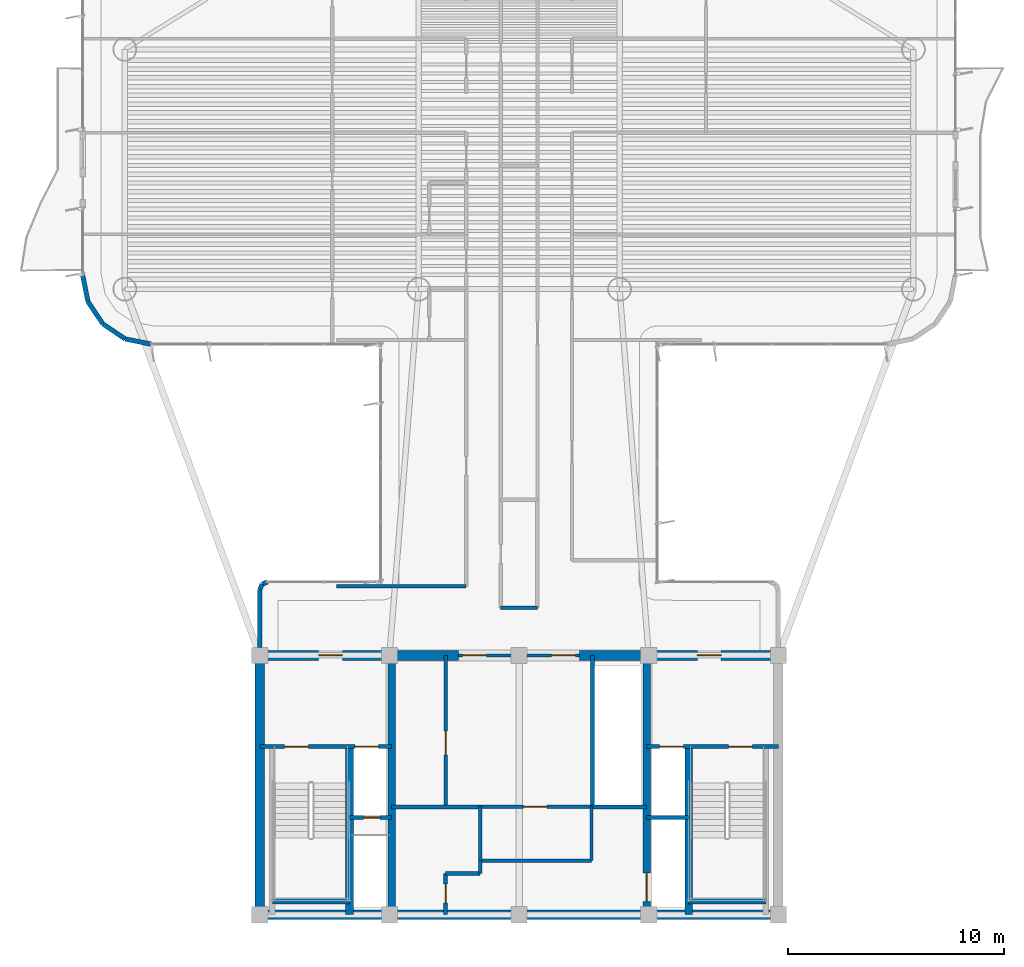
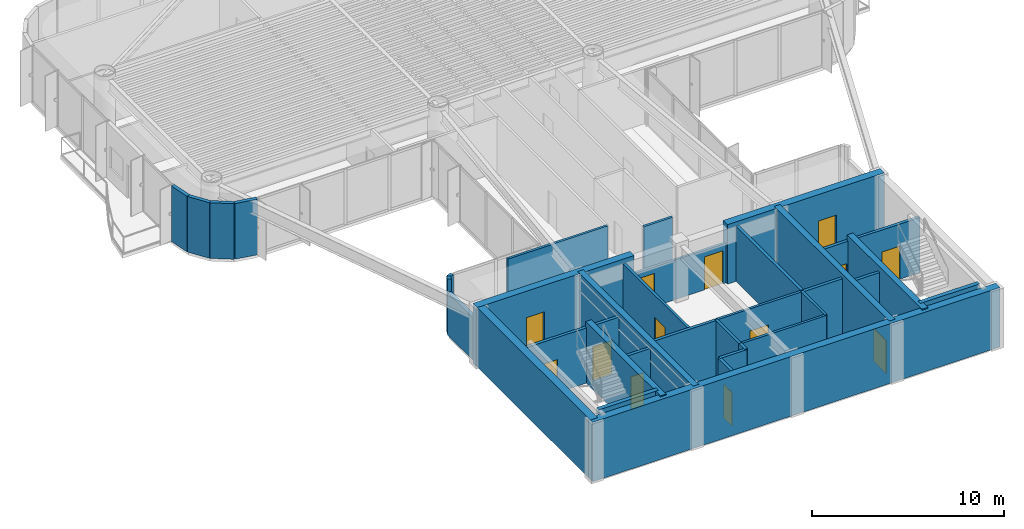
# One storey, part 9 of 14: 35 walls, 13 doors, 13 openings.
"""IFC4 building model written with IfcOpenShell, lengths in metres."""

from ifc_helpers import new_model, si_unit, direction, frame, frame_2d, origin, origin_2d, place, context, subcontext, project, spatial, rectangle, extrude, source, transform, mapped, material, layer, layer_set, type_object, element, fill, save


model = new_model("IFC4")

# Units and contexts
model_context = context("Model", 3, precision=1e-05, world=origin(), true_north=direction((0.0, 1.0)))
body_context = subcontext(model_context, "Body", "Model", "MODEL_VIEW")
ifc_project = project(units=[si_unit("LENGTHUNIT", "METRE"), si_unit("AREAUNIT", "SQUARE_METRE"), si_unit("VOLUMEUNIT", "CUBIC_METRE"), si_unit("PLANEANGLEUNIT", "RADIAN"), si_unit("MASSUNIT", "GRAM", prefix="KILO")], contexts=[model_context])

# Site, building, storey
site_placement = place(None, origin())
site = spatial("IfcSite", under=ifc_project, at=site_placement, CompositionType="ELEMENT")
building_placement = place(site_placement, origin())
building = spatial("IfcBuilding", under=site, at=building_placement, Name="Brelvock Crest Care Tower", CompositionType="ELEMENT")
storey_placement = place(building_placement, frame((0.0, 0.0, 201.780029296875)))
storey = spatial("IfcBuildingStorey", under=building, at=storey_placement, Name="L51", CompositionType="ELEMENT", Elevation=201.780029296875)

# Walls
ifc_material_1 = material(Name="Concrete S65 (65 MPa)", Category="concrete")
ifc_layer_1 = layer(ifc_material_1, 0.449951171875, Name="WL-CS3")
ifc_layer_set_1 = layer_set([ifc_layer_1], Name="Concrete S65 (65 MPa)")
wall_type_1 = type_object("IfcWallType", Name="WL-CS3", PredefinedType="SHEAR", material=ifc_layer_set_1)
wall_1_placement = place(storey_placement, frame((48.22509765625, 6.0, 0.0), z_axis=(0.0, 0.0, 1.0), x_axis=(-1.0, 0.0, 0.0)))
element("IfcWall", 1, at=wall_1_placement, inside=storey, type_object=wall_type_1, Name="L51 Core South Shear Wall", PredefinedType="SHEAR", context=body_context, shape_type="SweptSolid", body=[
    extrude(rectangle(XDim=24.4501953125, YDim=0.449951171875, at=frame_2d((12.22509765625, 0.0))), origin(), (0.0, 0.0, 1.0), 3.780029296875),
])
wall_2_placement = place(storey_placement, frame((24.0, 6.0, 0.0), z_axis=(0.0, 0.0, 1.0), x_axis=(0.0, 1.0, 0.0)))
element("IfcWall", 2, at=wall_2_placement, inside=storey, type_object=wall_type_1, Name="L51 Core West Shear Wall", PredefinedType="SHEAR", context=body_context, shape_type="SweptSolid", body=[
    extrude(rectangle(XDim=12.0, YDim=0.449951171875, at=frame_2d((6.0, 0.0))), origin(), (0.0, 0.0, 1.0), 3.780029296875),
])

# Wall, opening, door
wall_3_placement = place(storey_placement, frame((23.77490234375, 18.0, 0.0), z_axis=(0.0, 0.0, 1.0), x_axis=(1.0, 0.0, 0.0)))
wall_3 = element("IfcWall", 3, at=wall_3_placement, inside=storey, type_object=wall_type_1, Name="L51 Core North-West Shear Wall", PredefinedType="SHEAR", context=body_context, shape_type="SweptSolid", body=[
    extrude(rectangle(XDim=9.425048828125, YDim=0.449951171875, at=frame_2d((4.71240234375, 0.0))), origin(), (0.0, 0.0, 1.0), 3.780029296875),
])
opening_1_placement = place(wall_3_placement, frame((2.949951171875, 0.0, 0.0)))
opening_1 = element("IfcOpeningElement", 4, at=opening_1_placement, cuts=wall_3, Name="Opening FD-1", PredefinedType="OPENING", context=body_context, shape_type="SweptSolid", body=[
    extrude(rectangle(XDim=1.10009765625, YDim=2.10009765625, at=origin_2d()), frame((0.550048828125, 0.23486328125, 1.050048828125), z_axis=(0.0, -1.0, 0.0), x_axis=(1.0, 0.0, 0.0)), (0.0, 0.0, 1.0), 0.469970703125),
])
ifc_material_2 = material(Name="Steel Grade 350", Category="steel")
door_type_1 = type_object("IfcDoorType", Name="DR-FFL1", OperationType="NOTDEFINED", PredefinedType="DOOR", material=ifc_material_2)
shared_shape_1 = source(origin(), body_context, "Body", "SweptSolid", [
    extrude(rectangle(XDim=1.10009765625, YDim=2.10009765625, at=origin_2d()), frame((0.550048828125, 0.02490234375, 1.050048828125), z_axis=(0.0, -1.0, 0.0), x_axis=(1.0, 0.0, 0.0)), (0.0, 0.0, 1.0), 0.050048828125),
])
door_1_placement = place(opening_1_placement, origin())
door_1 = element("IfcDoor", 5, at=door_1_placement, inside=storey, type_object=door_type_1, Name="L51 Firefighting Lobby FFL-1 Exit Door", OperationType="SINGLE_SWING_LEFT", OverallHeight=2.10009765625, OverallWidth=1.10009765625, PredefinedType="DOOR", context=body_context, shape_type="MappedRepresentation", body=[
    mapped(shared_shape_1, transform((0.0, 0.0, 0.0), x_axis=(1.0, 0.0, 0.0), y_axis=(0.0, 1.0, 0.0), z_axis=(0.0, 0.0, 1.0), scale=1.0)),
])
fill(opening_1, door_1)

wall_4_placement = place(storey_placement, frame((38.800048828125, 18.0, 0.0), z_axis=(0.0, 0.0, 1.0), x_axis=(1.0, 0.0, 0.0)))
wall_4 = element("IfcWall", 6, at=wall_4_placement, inside=storey, type_object=wall_type_1, Name="L51 Core North-East Shear Wall", PredefinedType="SHEAR", context=body_context, shape_type="SweptSolid", body=[
    extrude(rectangle(XDim=9.425048828125, YDim=0.449951171875, at=frame_2d((4.71240234375, 0.0))), origin(), (0.0, 0.0, 1.0), 3.780029296875),
])
opening_2_placement = place(wall_4_placement, frame((5.449951171875, 0.0, 0.0)))
opening_2 = element("IfcOpeningElement", 7, at=opening_2_placement, cuts=wall_4, Name="Opening FD-1", PredefinedType="OPENING", context=body_context, shape_type="SweptSolid", body=[
    extrude(rectangle(XDim=1.10009765625, YDim=2.10009765625, at=origin_2d()), frame((0.550048828125, 0.23486328125, 1.050048828125), z_axis=(0.0, -1.0, 0.0), x_axis=(1.0, 0.0, 0.0)), (0.0, 0.0, 1.0), 0.469970703125),
])
door_2_placement = place(opening_2_placement, origin())
door_2 = element("IfcDoor", 8, at=door_2_placement, inside=storey, type_object=door_type_1, Name="L51 Firefighting Lobby FFL-2 Exit Door", OperationType="SINGLE_SWING_RIGHT", OverallHeight=2.10009765625, OverallWidth=1.10009765625, PredefinedType="DOOR", context=body_context, shape_type="MappedRepresentation", body=[
    mapped(shared_shape_1, transform((0.0, 0.0, 0.0), x_axis=(1.0, 0.0, 0.0), y_axis=(0.0, 1.0, 0.0), z_axis=(0.0, 0.0, 1.0), scale=1.0)),
])
fill(opening_2, door_2)

# Wall
ifc_material_3 = material(Name="Concrete S80 (80 MPa)", Category="concrete")
ifc_layer_2 = layer(ifc_material_3, 0.35009765625, Name="WL-CS5")
ifc_layer_set_2 = layer_set([ifc_layer_2], Name="Concrete S80 (80 MPa)")
wall_type_2 = type_object("IfcWallType", Name="WL-CS5", PredefinedType="SHEAR", material=ifc_layer_set_2)
wall_5_placement = place(storey_placement, frame((30.10009765625, 6.0, 0.0), z_axis=(0.0, 0.0, 1.0), x_axis=(0.0, 1.0, 0.0)))
element("IfcWall", 9, at=wall_5_placement, inside=storey, type_object=wall_type_2, Name="L51 Core Internal Web Wall West", PredefinedType="SHEAR", context=body_context, shape_type="SweptSolid", body=[
    extrude(rectangle(XDim=12.0, YDim=0.35009765625, at=frame_2d((6.0, 0.0))), origin(), (0.0, 0.0, 1.0), 3.780029296875),
])

# Wall, opening, door
wall_6_placement = place(storey_placement, frame((41.89990234375, 18.0, 0.0), z_axis=(0.0, 0.0, 1.0), x_axis=(0.0, -1.0, 0.0)))
wall_6 = element("IfcWall", 10, at=wall_6_placement, inside=storey, type_object=wall_type_2, Name="L51 Core Internal Web Wall East", PredefinedType="SHEAR", context=body_context, shape_type="SweptSolid", body=[
    extrude(rectangle(XDim=12.0, YDim=0.35009765625, at=frame_2d((6.0, 0.0))), origin(), (0.0, 0.0, 1.0), 3.780029296875),
])
opening_3_placement = place(wall_6_placement, frame((10.080078125, 0.0, 0.0)))
opening_3 = element("IfcOpeningElement", 11, at=opening_3_placement, cuts=wall_6, Name="Opening LD-S", PredefinedType="OPENING", context=body_context, shape_type="SweptSolid", body=[
    extrude(rectangle(XDim=1.300048828125, YDim=2.10009765625, at=origin_2d()), frame((0.64990234375, 0.18505859375, 1.050048828125), z_axis=(0.0, -1.0, 0.0), x_axis=(1.0, 0.0, 0.0)), (0.0, 0.0, 1.0), 0.3701171875),
])
door_type_2 = type_object("IfcDoorType", Name="DR-LDS1", OperationType="NOTDEFINED", PredefinedType="DOOR", material=ifc_material_2)
shared_shape_2 = source(origin(), body_context, "Body", "SweptSolid", [
    extrude(rectangle(XDim=1.300048828125, YDim=2.10009765625, at=origin_2d()), frame((0.64990234375, 0.02490234375, 1.050048828125), z_axis=(0.0, -1.0, 0.0), x_axis=(1.0, 0.0, 0.0)), (0.0, 0.0, 1.0), 0.050048828125),
])
door_3_placement = place(opening_3_placement, origin())
door_3 = element("IfcDoor", 12, at=door_3_placement, inside=storey, type_object=door_type_2, Name="L51 Clinical Bed Lift SL-1 Landing Door", OperationType="SLIDING_TO_LEFT", OverallHeight=2.10009765625, OverallWidth=1.300048828125, PredefinedType="DOOR", context=body_context, shape_type="MappedRepresentation", body=[
    mapped(shared_shape_2, transform((0.0, 0.0, 0.0), x_axis=(1.0, 0.0, 0.0), y_axis=(0.0, 1.0, 0.0), z_axis=(0.0, 0.0, 1.0), scale=1.0)),
])
fill(opening_3, door_3)

# Walls
for number, where, z_axis, x_axis, name in (
    (13, (28.14990234375, 6.0, 0.0), (0.0, 0.0, 1.0), (0.0, 1.0, 0.0), "L51 Core Stair ST-1 East Shear Wall"),
    (14, (43.85009765625, 6.0, 0.0), (0.0, 0.0, 1.0), (0.0, 1.0, 0.0), "L51 Core Stair ST-2 West Shear Wall"),
):
    element("IfcWall", number, at=place(storey_placement, frame(where, z_axis=z_axis, x_axis=x_axis)), inside=storey, type_object=wall_type_2, Name=name, PredefinedType="SHEAR", context=body_context, shape_type="SweptSolid", body=[
        extrude(rectangle(XDim=7.780029296875, YDim=0.35009765625, at=frame_2d((3.89013671875, 0.0))), origin(), (0.0, 0.0, 1.0), 3.849853515625),
    ])
ifc_layer_3 = layer(ifc_material_3, 0.25, Name="WL-CS6")
ifc_layer_set_3 = layer_set([ifc_layer_3], Name="Concrete S80 (80 MPa)")
wall_type_3 = type_object("IfcWallType", Name="WL-CS6", PredefinedType="SHEAR", material=ifc_layer_set_3)
for number, where, z_axis, x_axis, name in (
    (15, (24.580078125, 6.6201171875, 0.0), (0.0, 0.0, 1.0), (1.0, 0.0, 0.0), "L51 Core Stair ST-1 South Shear Wall"),
    (16, (43.85009765625, 6.6201171875, 0.0), (0.0, 0.0, 1.0), (1.0, 0.0, 0.0), "L51 Core Stair ST-2 South Shear Wall"),
):
    element("IfcWall", number, at=place(storey_placement, frame(where, z_axis=z_axis, x_axis=x_axis)), inside=storey, type_object=wall_type_3, Name=name, PredefinedType="SHEAR", context=body_context, shape_type="SweptSolid", body=[
        extrude(rectangle(XDim=3.56982421875, YDim=0.25, at=frame_2d((1.784912109375, 0.0))), origin(), (0.0, 0.0, 1.0), 3.849853515625),
    ])
ifc_material_4 = material(Name="Precast concrete N40 (40 MPa)", Category="concrete")
ifc_layer_4 = layer(ifc_material_4, 0.215087890625, Name="WL-EX2")
ifc_layer_set_4 = layer_set([ifc_layer_4], Name="Precast concrete N40 (40 MPa)")
wall_type_4 = type_object("IfcWallType", Name="WL-EX2", PredefinedType="SOLIDWALL", material=ifc_layer_set_4)
wall_7_placement = place(storey_placement, frame((24.0, 18.35498046875, 0.0), z_axis=(0.0, 0.0, 1.0), x_axis=(0.0, 1.0, 0.0)))
element("IfcWall", 17, at=wall_7_placement, inside=storey, type_object=wall_type_4, Name="L51 Rounded Corner Wall 07", PredefinedType="SOLIDWALL", context=body_context, shape_type="SweptSolid", body=[
    extrude(rectangle(XDim=2.695068359375, YDim=0.215087890625, at=frame_2d((1.34765625, 0.0))), origin(), (0.0, 0.0, 1.0), 2.718017578125),
])
wall_8_placement = place(storey_placement, frame((24.0, 21.050048828125, 0.0), z_axis=(0.0, 0.0, 1.0), x_axis=(0.382673670509, 0.923883575944, 0.0)))
element("IfcWall", 18, at=wall_8_placement, inside=storey, type_object=wall_type_4, Name="L51 Rounded Corner Wall 08", PredefinedType="SOLIDWALL", context=body_context, shape_type="SweptSolid", body=[
    extrude(rectangle(XDim=0.26806640625, YDim=0.215087890625, at=frame_2d((0.134033203125, 0.0))), origin(), (0.0, 0.0, 1.0), 3.530029296875),
])
wall_9_placement = place(storey_placement, frame((24.1025390625, 21.297607421875, 0.0), z_axis=(0.0, 0.0, 1.0), x_axis=(0.924205486139, 0.381895560841, 0.0)))
element("IfcWall", 19, at=wall_9_placement, inside=storey, type_object=wall_type_4, Name="L51 Rounded Corner Wall 09", PredefinedType="SOLIDWALL", context=body_context, shape_type="SweptSolid", body=[
    extrude(rectangle(XDim=0.267822265625, YDim=0.215087890625, at=frame_2d((0.1337890625, 0.0))), origin(), (0.0, 0.0, 1.0), 3.530029296875),
])
for number, where, z_axis, x_axis, name in (
    (20, (19.0, 32.39990234375, 0.0), (0.0, 0.0, 1.0), (-0.980775717779, 0.195138390419, 0.0), "L51 Rounded Corner Wall 13"),
    (21, (17.775390625, 32.6435546875, 0.0), (0.0, 0.0, 1.0), (-0.831387912822, 0.555692485475, 0.0), "L51 Rounded Corner Wall 14"),
    (22, (16.7373046875, 33.33740234375, 0.0), (0.0, 0.0, 1.0), (-0.555557312883, 0.831478245117, 0.0), "L51 Rounded Corner Wall 15"),
    (23, (16.043701171875, 34.37548828125, 0.0), (0.0, 0.0, 1.0), (-0.195138390419, 0.980775717779, 0.0), "L51 Rounded Corner Wall 16"),
):
    element("IfcWall", number, at=place(storey_placement, frame(where, z_axis=z_axis, x_axis=x_axis)), inside=storey, type_object=wall_type_4, Name=name, PredefinedType="SOLIDWALL", context=body_context, shape_type="SweptSolid", body=[
        extrude(rectangle(XDim=1.24853515625, YDim=0.215087890625, at=frame_2d((0.624267578125, 0.0))), origin(), (0.0, 0.0, 1.0), 3.530029296875),
    ])

# Wall, opening, door
ifc_material_5 = material(Name="Masonry Blockwork Acoustic Partition", Category="masonry")
ifc_layer_5 = layer(ifc_material_5, 0.14990234375, Name="WL-INT1")
ifc_layer_set_5 = layer_set([ifc_layer_5], Name="Masonry Blockwork Acoustic Partition")
wall_type_5 = type_object("IfcWallType", Name="WL-INT1", PredefinedType="PARTITIONING", material=ifc_layer_set_5)
wall_10_placement = place(storey_placement, frame((32.60009765625, 11.0, 0.0), z_axis=(0.0, 0.0, 1.0), x_axis=(0.0, 1.0, 0.0)))
wall_10 = element("IfcWall", 24, at=wall_10_placement, inside=storey, type_object=wall_type_5, Name="L51 Interior Wall WL-CRCL-E-L51", PredefinedType="PARTITIONING", context=body_context, shape_type="SweptSolid", body=[
    extrude(rectangle(XDim=7.0, YDim=0.14990234375, at=frame_2d((3.5, 0.0))), origin(), (0.0, 0.0, 1.0), 3.5),
])
opening_4_placement = place(wall_10_placement, frame((2.39990234375, 0.0, 0.0)))
opening_4 = element("IfcOpeningElement", 25, at=opening_4_placement, cuts=wall_10, Name="Opening PD-1", PredefinedType="OPENING", context=body_context, shape_type="SweptSolid", body=[
    extrude(rectangle(XDim=1.10009765625, YDim=2.10009765625, at=origin_2d()), frame((0.550048828125, 0.0849609375, 1.050048828125), z_axis=(0.0, -1.0, 0.0), x_axis=(1.0, 0.0, 0.0)), (0.0, 0.0, 1.0), 0.169921875),
])
door_type_3 = type_object("IfcDoorType", Name="DR-PLT1", OperationType="NOTDEFINED", PredefinedType="DOOR", material=ifc_material_2)
shared_shape_3 = source(origin(), body_context, "Body", "SweptSolid", [
    extrude(rectangle(XDim=1.10009765625, YDim=2.10009765625, at=origin_2d()), frame((0.550048828125, 0.02490234375, 1.050048828125), z_axis=(0.0, -1.0, 0.0), x_axis=(1.0, 0.0, 0.0)), (0.0, 0.0, 1.0), 0.050048828125),
])
door_4_placement = place(opening_4_placement, origin())
door_4 = element("IfcDoor", 26, at=door_4_placement, inside=storey, type_object=door_type_3, Name="DR-CRCL1-L51", OperationType="SINGLE_SWING_LEFT", OverallHeight=2.10009765625, OverallWidth=1.10009765625, PredefinedType="DOOR", context=body_context, shape_type="MappedRepresentation", body=[
    mapped(shared_shape_3, transform((0.0, 0.0, 0.0), x_axis=(1.0, 0.0, 0.0), y_axis=(0.0, 1.0, 0.0), z_axis=(0.0, 0.0, 1.0), scale=1.0)),
])
fill(opening_4, door_4)

# Walls
wall_11_placement = place(storey_placement, frame((34.199951171875, 8.5, 0.0), z_axis=(0.0, 0.0, 1.0), x_axis=(1.0, 0.0, 0.0)))
element("IfcWall", 27, at=wall_11_placement, inside=storey, type_object=wall_type_5, Name="L51 Interior Wall WL-CRCM-S-L51", PredefinedType="PARTITIONING", context=body_context, shape_type="SweptSolid", body=[
    extrude(rectangle(XDim=5.150146484375, YDim=0.14990234375, at=frame_2d((2.5751953125, 0.0))), origin(), (0.0, 0.0, 1.0), 3.5),
])
for number, where, z_axis, x_axis, name in (
    (28, (34.199951171875, 8.5, 0.0), (0.0, 0.0, 1.0), (0.0, 1.0, 0.0), "L51 Interior Wall WL-CRCM-W-L51"),
    (29, (39.35009765625, 8.5, 0.0), (0.0, 0.0, 1.0), (0.0, 1.0, 0.0), "L51 Interior Wall WL-CRCM-E-L51"),
):
    element("IfcWall", number, at=place(storey_placement, frame(where, z_axis=z_axis, x_axis=x_axis)), inside=storey, type_object=wall_type_5, Name=name, PredefinedType="PARTITIONING", context=body_context, shape_type="SweptSolid", body=[
        extrude(rectangle(XDim=2.5, YDim=0.14990234375, at=frame_2d((1.25, 0.0))), origin(), (0.0, 0.0, 1.0), 3.5),
    ])

# Wall, opening, door
wall_12_placement = place(storey_placement, frame((34.199951171875, 11.0, 0.0), z_axis=(0.0, 0.0, 1.0), x_axis=(1.0, 0.0, 0.0)))
wall_12 = element("IfcWall", 30, at=wall_12_placement, inside=storey, type_object=wall_type_5, Name="L51 Interior Wall WL-CRCM-N-L51", PredefinedType="PARTITIONING", context=body_context, shape_type="SweptSolid", body=[
    extrude(rectangle(XDim=5.150146484375, YDim=0.14990234375, at=frame_2d((2.5751953125, 0.0))), origin(), (0.0, 0.0, 1.0), 3.5),
])
opening_5_placement = place(wall_12_placement, frame((2.0, 0.0, 0.0)))
opening_5 = element("IfcOpeningElement", 31, at=opening_5_placement, cuts=wall_12, Name="Opening PD-1", PredefinedType="OPENING", context=body_context, shape_type="SweptSolid", body=[
    extrude(rectangle(XDim=1.10009765625, YDim=2.10009765625, at=origin_2d()), frame((0.550048828125, 0.0849609375, 1.050048828125), z_axis=(0.0, -1.0, 0.0), x_axis=(1.0, 0.0, 0.0)), (0.0, 0.0, 1.0), 0.169921875),
])
door_5_placement = place(opening_5_placement, origin())
door_5 = element("IfcDoor", 32, at=door_5_placement, inside=storey, type_object=door_type_3, Name="DR-CRCM1-L51", OperationType="SINGLE_SWING_LEFT", OverallHeight=2.10009765625, OverallWidth=1.10009765625, PredefinedType="DOOR", context=body_context, shape_type="MappedRepresentation", body=[
    mapped(shared_shape_3, transform((0.0, 0.0, 0.0), x_axis=(1.0, 0.0, 0.0), y_axis=(0.0, 1.0, 0.0), z_axis=(0.0, 0.0, 1.0), scale=1.0)),
])
fill(opening_5, door_5)

# Wall, openings, doors
wall_13_placement = place(storey_placement, frame((33.199951171875, 18.0, 0.0), z_axis=(0.0, 0.0, 1.0), x_axis=(1.0, 0.0, 0.0)))
wall_13 = element("IfcWall", 33, at=wall_13_placement, inside=storey, type_object=wall_type_5, Name="L51 Interior Wall WL-CORE-NPORT-L51", PredefinedType="PARTITIONING", context=body_context, shape_type="SweptSolid", body=[
    extrude(rectangle(XDim=5.60009765625, YDim=0.14990234375, at=frame_2d((2.800048828125, 0.0))), origin(), (0.0, 0.0, 1.0), 2.514892578125),
])
opening_6_placement = place(wall_13_placement, frame((0.18994140625, 0.0, 0.0)))
opening_6 = element("IfcOpeningElement", 34, at=opening_6_placement, cuts=wall_13, Name="Opening FD-1", PredefinedType="OPENING", context=body_context, shape_type="SweptSolid", body=[
    extrude(rectangle(XDim=1.10009765625, YDim=2.10009765625, at=origin_2d()), frame((0.550048828125, 0.0849609375, 1.050048828125), z_axis=(0.0, -1.0, 0.0), x_axis=(1.0, 0.0, 0.0)), (0.0, 0.0, 1.0), 0.169921875),
])
opening_7_placement = place(wall_13_placement, frame((4.31005859375, 0.0, 0.0)))
opening_7 = element("IfcOpeningElement", 35, at=opening_7_placement, cuts=wall_13, Name="Opening FD-1", PredefinedType="OPENING", context=body_context, shape_type="SweptSolid", body=[
    extrude(rectangle(XDim=1.10009765625, YDim=2.10009765625, at=origin_2d()), frame((0.550048828125, 0.0849609375, 1.050048828125), z_axis=(0.0, -1.0, 0.0), x_axis=(1.0, 0.0, 0.0)), (0.0, 0.0, 1.0), 0.169921875),
])
door_6_placement = place(opening_6_placement, origin())
door_6 = element("IfcDoor", 36, at=door_6_placement, inside=storey, type_object=door_type_1, Name="L51 Lift Lobby North Smoke Door West", OperationType="SINGLE_SWING_LEFT", OverallHeight=2.10009765625, OverallWidth=1.10009765625, PredefinedType="DOOR", context=body_context, shape_type="MappedRepresentation", body=[
    mapped(shared_shape_1, transform((0.0, 0.0, 0.0), x_axis=(1.0, 0.0, 0.0), y_axis=(0.0, 1.0, 0.0), z_axis=(0.0, 0.0, 1.0), scale=1.0)),
])
fill(opening_6, door_6)
door_7_placement = place(opening_7_placement, origin())
door_7 = element("IfcDoor", 37, at=door_7_placement, inside=storey, type_object=door_type_1, Name="L51 Lift Lobby North Smoke Door East", OperationType="SINGLE_SWING_RIGHT", OverallHeight=2.10009765625, OverallWidth=1.10009765625, PredefinedType="DOOR", context=body_context, shape_type="MappedRepresentation", body=[
    mapped(shared_shape_1, transform((0.0, 0.0, 0.0), x_axis=(1.0, 0.0, 0.0), y_axis=(0.0, 1.0, 0.0), z_axis=(0.0, 0.0, 1.0), scale=1.0)),
])
fill(opening_7, door_7)

# Walls
wall_14_placement = place(storey_placement, frame((27.5576171875, 21.199951171875, 0.0), z_axis=(0.0, 0.0, 1.0), x_axis=(1.0, 0.0, 0.0)))
element("IfcWall", 38, at=wall_14_placement, inside=storey, type_object=wall_type_5, Name="L51 Interior Wall WL-BX-L51-THRW-S", PredefinedType="PARTITIONING", context=body_context, shape_type="SweptSolid", body=[
    extrude(rectangle(XDim=5.992431640625, YDim=0.14990234375, at=frame_2d((2.99609375, 0.0))), origin(), (0.0, 0.0, 1.0), 3.5),
])
ifc_material_6 = material(Name="Gypsum Plasterboard Partition", Category="gypsum")
ifc_layer_6 = layer(ifc_material_6, 0.159912109375, Name="WL-PLM1")
ifc_layer_set_6 = layer_set([ifc_layer_6], Name="Gypsum Plasterboard Partition")
wall_type_6 = type_object("IfcWallType", Name="WL-PLM1", PredefinedType="PLUMBINGWALL", material=ifc_layer_set_6)
wall_15_placement = place(storey_placement, frame((35.14990234375, 20.199951171875, 0.0), z_axis=(0.0, 0.0, 1.0), x_axis=(1.0, 0.0, 0.0)))
element("IfcWall", 39, at=wall_15_placement, inside=storey, type_object=wall_type_6, Name="L51 Interior Wall WL-BX-L51-ISWC-S", PredefinedType="PLUMBINGWALL", context=body_context, shape_type="SweptSolid", body=[
    extrude(rectangle(XDim=1.7001953125, YDim=0.159912109375, at=frame_2d((0.85009765625, 0.0))), origin(), (0.0, 0.0, 1.0), 3.5),
])
ifc_layer_7 = layer(ifc_material_5, 0.179931640625, Name="WL-SHF1")
ifc_layer_set_7 = layer_set([ifc_layer_7], Name="Masonry Blockwork Acoustic Partition")
wall_type_7 = type_object("IfcWallType", Name="WL-SHF1", PredefinedType="PARTITIONING", material=ifc_layer_set_7)
wall_16_placement = place(storey_placement, frame((39.39990234375, 11.0, 0.0), z_axis=(0.0, 0.0, 1.0), x_axis=(0.0, 1.0, 0.0)))
element("IfcWall", 40, at=wall_16_placement, inside=storey, type_object=wall_type_7, Name="L51 Interior Wall WL-PLH-SHF-L51", PredefinedType="PARTITIONING", context=body_context, shape_type="SweptSolid", body=[
    extrude(rectangle(XDim=7.0, YDim=0.179931640625, at=frame_2d((3.5, 0.0))), origin(), (0.0, 0.0, 1.0), 3.5),
])
wall_17_placement = place(storey_placement, frame((30.10009765625, 10.97998046875, 0.0), z_axis=(0.0, 0.0, 1.0), x_axis=(1.0, 0.0, 0.0)))
element("IfcWall", 41, at=wall_17_placement, inside=storey, type_object=wall_type_7, Name="L51 Interior Wall WL-CSBW-N-L51", PredefinedType="PARTITIONING", context=body_context, shape_type="SweptSolid", body=[
    extrude(rectangle(XDim=4.079833984375, YDim=0.179931640625, at=frame_2d((2.0400390625, 0.0))), origin(), (0.0, 0.0, 1.0), 3.5),
])
wall_18_placement = place(storey_placement, frame((34.199951171875, 7.89990234375, 0.0), z_axis=(0.0, 0.0, 1.0), x_axis=(0.0, 1.0, 0.0)))
element("IfcWall", 42, at=wall_18_placement, inside=storey, type_object=wall_type_7, Name="L51 Interior Wall WL-CSBW-E2-L51", PredefinedType="PARTITIONING", context=body_context, shape_type="SweptSolid", body=[
    extrude(rectangle(XDim=0.60009765625, YDim=0.179931640625, at=frame_2d((0.300048828125, 0.0))), origin(), (0.0, 0.0, 1.0), 3.5),
])
wall_19_placement = place(storey_placement, frame((32.60009765625, 7.89990234375, 0.0), z_axis=(0.0, 0.0, 1.0), x_axis=(1.0, 0.0, 0.0)))
element("IfcWall", 43, at=wall_19_placement, inside=storey, type_object=wall_type_7, Name="L51 Interior Wall WL-CSBW-S2-L51", PredefinedType="PARTITIONING", context=body_context, shape_type="SweptSolid", body=[
    extrude(rectangle(XDim=1.599853515625, YDim=0.179931640625, at=frame_2d((0.7998046875, 0.0))), origin(), (0.0, 0.0, 1.0), 3.5),
])

# Wall, opening, door
wall_20_placement = place(storey_placement, frame((32.60009765625, 6.0, 0.0), z_axis=(0.0, 0.0, 1.0), x_axis=(0.0, 1.0, 0.0)))
wall_20 = element("IfcWall", 44, at=wall_20_placement, inside=storey, type_object=wall_type_7, Name="L51 Interior Wall WL-CSBW-E1-L51", PredefinedType="PARTITIONING", context=body_context, shape_type="SweptSolid", body=[
    extrude(rectangle(XDim=1.89990234375, YDim=0.179931640625, at=frame_2d((0.949951171875, 0.0))), origin(), (0.0, 0.0, 1.0), 3.5),
])
opening_8_placement = place(wall_20_placement, frame((0.550048828125, 0.0, 0.0)))
opening_8 = element("IfcOpeningElement", 45, at=opening_8_placement, cuts=wall_20, Name="Opening ID-1", PredefinedType="OPENING", context=body_context, shape_type="SweptSolid", body=[
    extrude(rectangle(XDim=0.860107421875, YDim=2.10009765625, at=origin_2d()), frame((0.43017578125, 0.10009765625, 1.050048828125), z_axis=(0.0, -1.0, 0.0), x_axis=(1.0, 0.0, 0.0)), (0.0, 0.0, 1.0), 0.199951171875),
])
ifc_material_7 = material(Name="Engineered Hardwood Timber", Category="wood")
door_type_4 = type_object("IfcDoorType", Name="DR-INT1", OperationType="NOTDEFINED", PredefinedType="DOOR", material=ifc_material_7)
shared_shape_4 = source(origin(), body_context, "Body", "SweptSolid", [
    extrude(rectangle(XDim=0.860107421875, YDim=2.10009765625, at=origin_2d()), frame((0.43017578125, 0.02490234375, 1.050048828125), z_axis=(0.0, -1.0, 0.0), x_axis=(1.0, 0.0, 0.0)), (0.0, 0.0, 1.0), 0.050048828125),
])
door_8_placement = place(opening_8_placement, origin())
door_8 = element("IfcDoor", 46, at=door_8_placement, inside=storey, type_object=door_type_4, Name="DR-CSBW-L51", OperationType="SINGLE_SWING_LEFT", OverallHeight=2.10009765625, OverallWidth=0.860107421875, PredefinedType="DOOR", context=body_context, shape_type="MappedRepresentation", body=[
    mapped(shared_shape_4, transform((0.0, 0.0, 0.0), x_axis=(1.0, 0.0, 0.0), y_axis=(0.0, 1.0, 0.0), z_axis=(0.0, 0.0, 1.0), scale=1.0)),
])
fill(opening_8, door_8)

# Wall
wall_21_placement = place(storey_placement, frame((39.35009765625, 10.97998046875, 0.0), z_axis=(0.0, 0.0, 1.0), x_axis=(1.0, 0.0, 0.0)))
element("IfcWall", 47, at=wall_21_placement, inside=storey, type_object=wall_type_7, Name="L51 Interior Wall WL-CSBE-N-L51", PredefinedType="PARTITIONING", context=body_context, shape_type="SweptSolid", body=[
    extrude(rectangle(XDim=2.5498046875, YDim=0.179931640625, at=frame_2d((1.27490234375, 0.0))), origin(), (0.0, 0.0, 1.0), 3.5),
])

# Wall, openings, doors
wall_22_placement = place(storey_placement, frame((24.0, 13.780029296875, 0.0), z_axis=(0.0, 0.0, 1.0), x_axis=(1.0, 0.0, 0.0)))
wall_22 = element("IfcWall", 48, at=wall_22_placement, inside=storey, type_object=wall_type_7, Name="L51 Interior Wall WL-ST1-N-L51", PredefinedType="PARTITIONING", context=body_context, shape_type="SweptSolid", body=[
    extrude(rectangle(XDim=6.10009765625, YDim=0.179931640625, at=frame_2d((3.050048828125, 0.0))), origin(), (0.0, 0.0, 1.0), 3.5),
])
opening_9_placement = place(wall_22_placement, frame((1.14990234375, 0.0, 0.0)))
opening_9 = element("IfcOpeningElement", 49, at=opening_9_placement, cuts=wall_22, Name="Opening SD-1", PredefinedType="OPENING", context=body_context, shape_type="SweptSolid", body=[
    extrude(rectangle(XDim=1.10009765625, YDim=2.10009765625, at=origin_2d()), frame((0.550048828125, 0.10009765625, 1.050048828125), z_axis=(0.0, -1.0, 0.0), x_axis=(1.0, 0.0, 0.0)), (0.0, 0.0, 1.0), 0.199951171875),
])
opening_10_placement = place(wall_22_placement, frame((4.39990234375, 0.0, 0.0)))
opening_10 = element("IfcOpeningElement", 50, at=opening_10_placement, cuts=wall_22, Name="Opening LD", PredefinedType="OPENING", context=body_context, shape_type="SweptSolid", body=[
    extrude(rectangle(XDim=1.10009765625, YDim=2.10009765625, at=origin_2d()), frame((0.550048828125, 0.10009765625, 1.050048828125), z_axis=(0.0, -1.0, 0.0), x_axis=(1.0, 0.0, 0.0)), (0.0, 0.0, 1.0), 0.199951171875),
])
door_type_5 = type_object("IfcDoorType", Name="DR-ST1", OperationType="NOTDEFINED", PredefinedType="DOOR", material=ifc_material_2)
shared_shape_5 = source(origin(), body_context, "Body", "SweptSolid", [
    extrude(rectangle(XDim=1.10009765625, YDim=2.10009765625, at=origin_2d()), frame((0.550048828125, 0.02490234375, 1.050048828125), z_axis=(0.0, -1.0, 0.0), x_axis=(1.0, 0.0, 0.0)), (0.0, 0.0, 1.0), 0.050048828125),
])
door_9_placement = place(opening_9_placement, origin())
door_9 = element("IfcDoor", 51, at=door_9_placement, inside=storey, type_object=door_type_5, Name="L51 Fire Stair ST-1 Door", OperationType="SINGLE_SWING_LEFT", OverallHeight=2.10009765625, OverallWidth=1.10009765625, PredefinedType="DOOR", context=body_context, shape_type="MappedRepresentation", body=[
    mapped(shared_shape_5, transform((0.0, 0.0, 0.0), x_axis=(1.0, 0.0, 0.0), y_axis=(0.0, 1.0, 0.0), z_axis=(0.0, 0.0, 1.0), scale=1.0)),
])
fill(opening_9, door_9)
door_type_6 = type_object("IfcDoorType", Name="DR-LD1", OperationType="NOTDEFINED", PredefinedType="DOOR", material=ifc_material_2)
shared_shape_6 = source(origin(), body_context, "Body", "SweptSolid", [
    extrude(rectangle(XDim=1.10009765625, YDim=2.10009765625, at=origin_2d()), frame((0.550048828125, 0.02490234375, 1.050048828125), z_axis=(0.0, -1.0, 0.0), x_axis=(1.0, 0.0, 0.0)), (0.0, 0.0, 1.0), 0.050048828125),
])
door_10_placement = place(opening_10_placement, origin())
door_10 = element("IfcDoor", 52, at=door_10_placement, inside=storey, type_object=door_type_6, Name="L51 Firefighting Lift FFL-1 Landing Door", OperationType="SLIDING_TO_LEFT", OverallHeight=2.10009765625, OverallWidth=1.10009765625, PredefinedType="DOOR", context=body_context, shape_type="MappedRepresentation", body=[
    mapped(shared_shape_6, transform((0.0, 0.0, 0.0), x_axis=(1.0, 0.0, 0.0), y_axis=(0.0, 1.0, 0.0), z_axis=(0.0, 0.0, 1.0), scale=1.0)),
])
fill(opening_10, door_10)

# Wall, opening, door
wall_23_placement = place(storey_placement, frame((28.14990234375, 10.5, 0.0), z_axis=(0.0, 0.0, 1.0), x_axis=(1.0, 0.0, 0.0)))
wall_23 = element("IfcWall", 53, at=wall_23_placement, inside=storey, type_object=wall_type_7, Name="L51 Interior Wall WL-FFH1-S-L51", PredefinedType="PARTITIONING", context=body_context, shape_type="SweptSolid", body=[
    extrude(rectangle(XDim=1.9501953125, YDim=0.179931640625, at=frame_2d((0.97509765625, 0.0))), origin(), (0.0, 0.0, 1.0), 3.5),
])
opening_11_placement = place(wall_23_placement, frame((0.64990234375, 0.0, 0.0)))
opening_11 = element("IfcOpeningElement", 54, at=opening_11_placement, cuts=wall_23, Name="Opening RD-1", PredefinedType="OPENING", context=body_context, shape_type="SweptSolid", body=[
    extrude(rectangle(XDim=0.760009765625, YDim=2.050048828125, at=origin_2d()), frame((0.3798828125, 0.10009765625, 1.02490234375), z_axis=(0.0, -1.0, 0.0), x_axis=(1.0, 0.0, 0.0)), (0.0, 0.0, 1.0), 0.199951171875),
])
door_type_7 = type_object("IfcDoorType", Name="DR-RIS1", OperationType="NOTDEFINED", PredefinedType="DOOR", material=ifc_material_2)
shared_shape_7 = source(origin(), body_context, "Body", "SweptSolid", [
    extrude(rectangle(XDim=0.760009765625, YDim=2.050048828125, at=origin_2d()), frame((0.3798828125, 0.02490234375, 1.02490234375), z_axis=(0.0, -1.0, 0.0), x_axis=(1.0, 0.0, 0.0)), (0.0, 0.0, 1.0), 0.050048828125),
])
door_11_placement = place(opening_11_placement, origin())
door_11 = element("IfcDoor", 55, at=door_11_placement, inside=storey, type_object=door_type_7, Name="L51 Wet Fire Riser Access Door", OperationType="SINGLE_SWING_LEFT", OverallHeight=2.050048828125, OverallWidth=0.760009765625, PredefinedType="DOOR", context=body_context, shape_type="MappedRepresentation", body=[
    mapped(shared_shape_7, transform((0.0, 0.0, 0.0), x_axis=(1.0, 0.0, 0.0), y_axis=(0.0, 1.0, 0.0), z_axis=(0.0, 0.0, 1.0), scale=1.0)),
])
fill(opening_11, door_11)

# Wall, openings, doors
wall_24_placement = place(storey_placement, frame((41.89990234375, 13.780029296875, 0.0), z_axis=(0.0, 0.0, 1.0), x_axis=(1.0, 0.0, 0.0)))
wall_24 = element("IfcWall", 56, at=wall_24_placement, inside=storey, type_object=wall_type_7, Name="L51 Interior Wall WL-ST2-N-L51", PredefinedType="PARTITIONING", context=body_context, shape_type="SweptSolid", body=[
    extrude(rectangle(XDim=6.10009765625, YDim=0.179931640625, at=frame_2d((3.050048828125, 0.0))), origin(), (0.0, 0.0, 1.0), 3.5),
])
opening_12_placement = place(wall_24_placement, frame((0.60009765625, 0.0, 0.0)))
opening_12 = element("IfcOpeningElement", 57, at=opening_12_placement, cuts=wall_24, Name="Opening LD", PredefinedType="OPENING", context=body_context, shape_type="SweptSolid", body=[
    extrude(rectangle(XDim=1.10009765625, YDim=2.10009765625, at=origin_2d()), frame((0.550048828125, 0.10009765625, 1.050048828125), z_axis=(0.0, -1.0, 0.0), x_axis=(1.0, 0.0, 0.0)), (0.0, 0.0, 1.0), 0.199951171875),
])
opening_13_placement = place(wall_24_placement, frame((3.800048828125, 0.0, 0.0)))
opening_13 = element("IfcOpeningElement", 58, at=opening_13_placement, cuts=wall_24, Name="Opening SD-1", PredefinedType="OPENING", context=body_context, shape_type="SweptSolid", body=[
    extrude(rectangle(XDim=1.10009765625, YDim=2.10009765625, at=origin_2d()), frame((0.550048828125, 0.10009765625, 1.050048828125), z_axis=(0.0, -1.0, 0.0), x_axis=(1.0, 0.0, 0.0)), (0.0, 0.0, 1.0), 0.199951171875),
])
door_12_placement = place(opening_13_placement, origin())
door_12 = element("IfcDoor", 59, at=door_12_placement, inside=storey, type_object=door_type_5, Name="L51 Fire Stair ST-2 Door", OperationType="SINGLE_SWING_RIGHT", OverallHeight=2.10009765625, OverallWidth=1.10009765625, PredefinedType="DOOR", context=body_context, shape_type="MappedRepresentation", body=[
    mapped(shared_shape_5, transform((0.0, 0.0, 0.0), x_axis=(1.0, 0.0, 0.0), y_axis=(0.0, 1.0, 0.0), z_axis=(0.0, 0.0, 1.0), scale=1.0)),
])
fill(opening_13, door_12)
door_13_placement = place(opening_12_placement, origin())
door_13 = element("IfcDoor", 60, at=door_13_placement, inside=storey, type_object=door_type_6, Name="L51 Firefighting Lift FFL-2 Landing Door", OperationType="SLIDING_TO_RIGHT", OverallHeight=2.10009765625, OverallWidth=1.10009765625, PredefinedType="DOOR", context=body_context, shape_type="MappedRepresentation", body=[
    mapped(shared_shape_6, transform((0.0, 0.0, 0.0), x_axis=(1.0, 0.0, 0.0), y_axis=(0.0, 1.0, 0.0), z_axis=(0.0, 0.0, 1.0), scale=1.0)),
])
fill(opening_12, door_13)

# Wall
wall_25_placement = place(storey_placement, frame((41.89990234375, 10.5, 0.0), z_axis=(0.0, 0.0, 1.0), x_axis=(1.0, 0.0, 0.0)))
element("IfcWall", 61, at=wall_25_placement, inside=storey, type_object=wall_type_7, Name="L51 Interior Wall WL-FFH2-S-L51", PredefinedType="PARTITIONING", context=body_context, shape_type="SweptSolid", body=[
    extrude(rectangle(XDim=1.9501953125, YDim=0.179931640625, at=frame_2d((0.97509765625, 0.0))), origin(), (0.0, 0.0, 1.0), 3.5),
])

save(model, "model.ifc")
